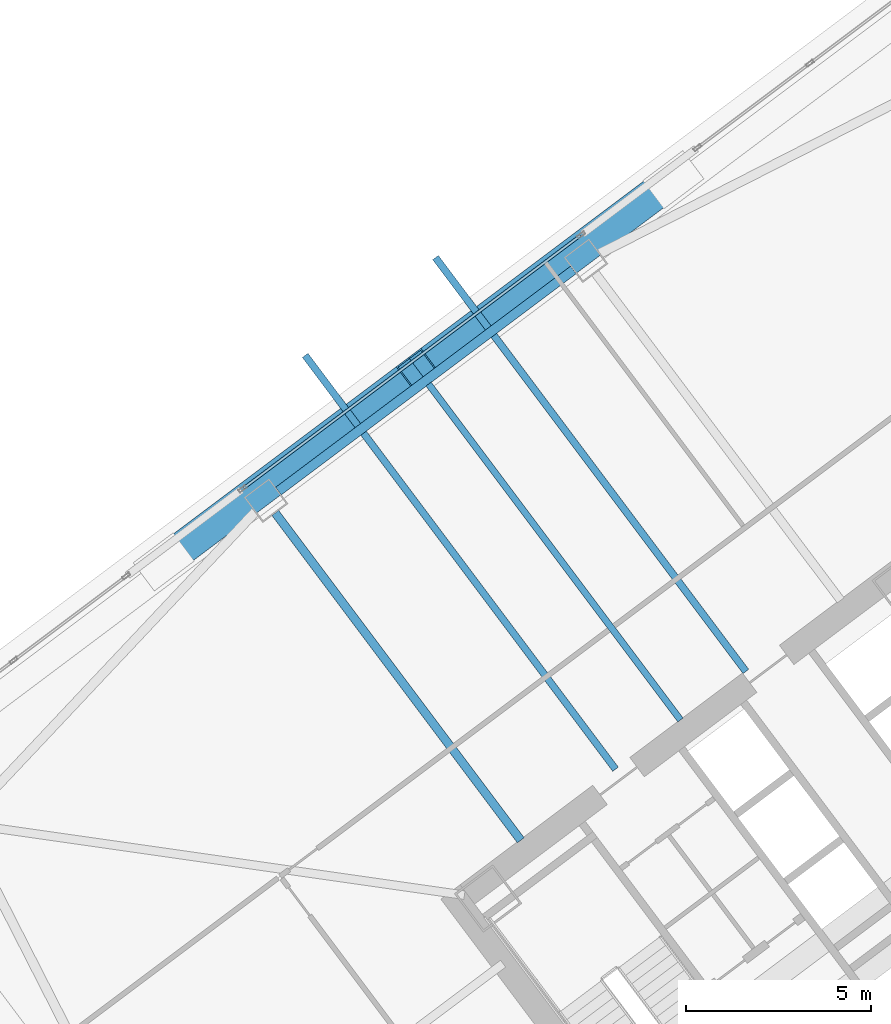
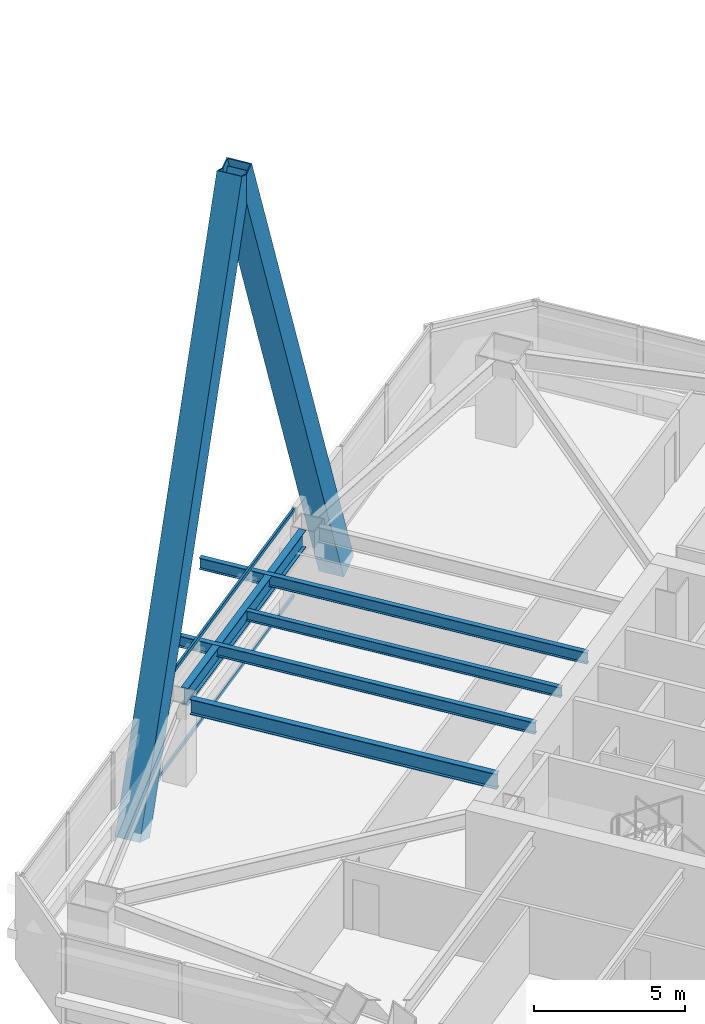
# One storey, part 34 of 54: 5 beams, 4 members, 1 element without a shape of its own.
"""IFC4 building model written with IfcOpenShell, lengths in metres."""

from ifc_helpers import new_model, si_unit, direction, frame, origin, origin_2d, place, context, subcontext, project, spatial, hollow_rectangle, i_section, extrude, material, material_profile, profile_set, type_object, element, aggregate, save


model = new_model("IFC4")

# Units and contexts
model_context = context("Model", 3, precision=1e-05, world=origin(), true_north=direction((0.0, 1.0)))
body_context = subcontext(model_context, "Body", "Model", "MODEL_VIEW")
ifc_project = project(units=[si_unit("LENGTHUNIT", "METRE"), si_unit("AREAUNIT", "SQUARE_METRE"), si_unit("VOLUMEUNIT", "CUBIC_METRE"), si_unit("PLANEANGLEUNIT", "RADIAN"), si_unit("MASSUNIT", "GRAM", prefix="KILO")], contexts=[model_context])

# Site, building, storey
site_placement = place(None, origin())
site = spatial("IfcSite", under=ifc_project, at=site_placement, CompositionType="ELEMENT")
building_placement = place(site_placement, origin())
building = spatial("IfcBuilding", under=site, at=building_placement, Name="Tashvorn Skyway Center", CompositionType="ELEMENT")
storey_placement = place(building_placement, frame((0.0, 0.0, 88.5)))
storey = spatial("IfcBuildingStorey", under=building, at=storey_placement, Name="L23", CompositionType="ELEMENT", Elevation=88.5)

# Beams
ifc_material_1 = material(Name="Steel ASTM A992 Grade 50", Category="steel")
ifc_material_profile_1 = material_profile(ifc_material_1, i_section(OverallWidth=0.22998046875, OverallDepth=0.616943359375, WebThickness=0.01318359375, FlangeThickness=0.022216796875, at=origin_2d()), Name="W24X94")
ifc_profile_set_1 = profile_set([ifc_material_profile_1], Name="Steel ASTM A992 Grade 50")
beam_type_1 = type_object("IfcBeamType", Name="BM-BEAM-W24X94", PredefinedType="BEAM", material=ifc_profile_set_1)
beam_1_placement = place(storey_placement, frame((98.382080078125, 43.823974609375, 3.04150390625), z_axis=(0.599989394744, -0.800007953832, 0.0), x_axis=(0.800007953832, 0.599989394744, 0.0)))
element("IfcBeam", 1, at=beam_1_placement, inside=storey, type_object=beam_type_1, Name="Tower 2 L23 Primary Floor Girder FC-N2", PredefinedType="BEAM", context=body_context, shape_type="SweptSolid", body=[
    extrude(i_section(OverallWidth=0.22998046875, OverallDepth=0.616943359375, WebThickness=0.01318359375, FlangeThickness=0.022216796875, at=origin_2d()), origin(), (0.0, 0.0, 1.0), 11.050048828125),
])
ifc_material_profile_2 = material_profile(ifc_material_1, i_section(OverallWidth=0.177978515625, OverallDepth=0.406005859375, WebThickness=0.0078125, FlangeThickness=0.0126953125, at=origin_2d()), Name="W16X40")
ifc_profile_set_2 = profile_set([ifc_material_profile_2], Name="Steel ASTM A992 Grade 50")
beam_type_2 = type_object("IfcBeamType", Name="BM-JOIST-W16X40", PredefinedType="JOIST", material=ifc_profile_set_2)
beam_2_placement = place(storey_placement, frame((109.325927734375, 38.23193359375, 3.14697265625), z_axis=(-0.599996555327, 0.800002583493, 0.0), x_axis=(-0.800002583493, -0.599996555327, 0.0)))
element("IfcBeam", 2, at=beam_2_placement, inside=storey, type_object=beam_type_2, Name="Tower 2 L23 Secondary Composite Joist JN", PredefinedType="JOIST", context=body_context, shape_type="SweptSolid", body=[
    extrude(i_section(OverallWidth=0.177978515625, OverallDepth=0.406005859375, WebThickness=0.0078125, FlangeThickness=0.0126953125, at=origin_2d()), origin(), (0.0, 0.0, 1.0), 11.340087890625),
])
ifc_material_profile_3 = material_profile(ifc_material_1, i_section(OverallWidth=0.19091796875, OverallDepth=0.4599609375, WebThickness=0.010009765625, FlangeThickness=0.01611328125, at=origin_2d()), Name="W18X55")
ifc_profile_set_3 = profile_set([ifc_material_profile_3], Name="Steel ASTM A992 Grade 50")
beam_type_3 = type_object("IfcBeamType", Name="BM-JOIST-W18X55", PredefinedType="JOIST", material=ifc_profile_set_3)
for number, where, z_axis, x_axis, name in (
    (3, (107.572021484375, 36.904052734375, 3.1201171875), (-0.600002796153, 0.799997902878, 0.0), (-0.799997902878, -0.600002796153, 0.0), "Tower 2 L24 Terrace Cantilever Outlooker 1"),
    (4, (111.092041015625, 39.5439453125, 3.1201171875), (-0.600002796153, 0.799997902878, 0.0), (-0.799997902878, -0.600002796153, 0.0), "Tower 2 L24 Terrace Cantilever Outlooker 2"),
):
    element("IfcBeam", number, at=place(storey_placement, frame(where, z_axis=z_axis, x_axis=x_axis)), inside=storey, type_object=beam_type_3, Name=name, PredefinedType="JOIST", context=body_context, shape_type="SweptSolid", body=[
        extrude(i_section(OverallWidth=0.19091796875, OverallDepth=0.4599609375, WebThickness=0.010009765625, FlangeThickness=0.01611328125, at=origin_2d()), origin(), (0.0, 0.0, 1.0), 13.969970703125),
    ])
ifc_material_profile_4 = material_profile(ifc_material_1, i_section(OverallWidth=0.256103515625, OverallDepth=0.693115234375, WebThickness=0.014404296875, FlangeThickness=0.023681640625, at=origin_2d()), Name="W27X114")
ifc_profile_set_4 = profile_set([ifc_material_profile_4], Name="Steel ASTM A992 Grade 50")
beam_type_4 = type_object("IfcBeamType", Name="BM-SPANDREL-W27X114", PredefinedType="SPANDREL", material=ifc_profile_set_4)
beam_3_placement = place(storey_placement, frame((106.43408203125, 50.387939453125, 3.00341796875), z_axis=(-0.800008824351, -0.599988234018, 0.0), x_axis=(0.599988234018, -0.800008824351, 0.0)))
element("IfcBeam", 5, at=beam_3_placement, inside=storey, type_object=beam_type_4, Name="Tower 2 L23 Spandrel Beam 08", PredefinedType="SPANDREL", context=body_context, shape_type="SweptSolid", body=[
    extrude(i_section(OverallWidth=0.256103515625, OverallDepth=0.693115234375, WebThickness=0.014404296875, FlangeThickness=0.023681640625, at=origin_2d()), origin(), (0.0, 0.0, 1.0), 9.9599609375),
])

# Curtain wall, members
ifc_material_2 = material(Name="Thermally broken bronze-anodized aluminium 6063-T6", Category="aluminium")
curtain_wall_type = type_object("IfcCurtainWallType", Name="CW-CW-Z2", PredefinedType="NOTDEFINED", material=ifc_material_2)
curtain_wall_placement = place(storey_placement, origin())
curtain_wall = element("IfcCurtainWall", 6, at=curtain_wall_placement, inside=storey, type_object=curtain_wall_type, Name="Tower 2 L23 North Unitised Curtain Wall Glazing Group 2", PredefinedType="NOTDEFINED")
ifc_material_profile_5 = material_profile(ifc_material_2, hollow_rectangle(XDim=0.080078125, YDim=0.14990234375, WallThickness=0.00439453125, at=origin_2d()), Name="ALU-TRAN-80x150")
ifc_profile_set_5 = profile_set([ifc_material_profile_5], Name="Thermally broken bronze-anodized aluminium 6063-T6")
member_type_1 = type_object("IfcMemberType", Name="CWT-CW-Z2", PredefinedType="USERDEFINED", material=ifc_profile_set_5)
member_1_placement = place(storey_placement, frame((97.528076171875, 44.49609375, 0.0400390625), z_axis=(0.8, 0.6, 0.0), x_axis=(-0.6, 0.8, 0.0)))
member_1 = element("IfcMember", 7, at=member_1_placement, type_object=member_type_1, Name="CW-Z2 transom 1.1", ObjectType="TRANSOM", PredefinedType="USERDEFINED", context=body_context, shape_type="SweptSolid", body=[
    extrude(hollow_rectangle(XDim=0.080078125, YDim=0.14990234375, WallThickness=0.00439453125, at=origin_2d()), origin(), (0.0, 0.0, 1.0), 11.35986328125),
])
member_2_placement = place(storey_placement, frame((97.528076171875, 44.49609375, 3.510009765625), z_axis=(0.8, 0.6, 0.0), x_axis=(-0.6, 0.8, 0.0)))
member_2 = element("IfcMember", 8, at=member_2_placement, type_object=member_type_1, Name="CW-Z2 transom 1.2", ObjectType="TRANSOM", PredefinedType="USERDEFINED", context=body_context, shape_type="SweptSolid", body=[
    extrude(hollow_rectangle(XDim=0.080078125, YDim=0.14990234375, WallThickness=0.00439453125, at=origin_2d()), origin(), (0.0, 0.0, 1.0), 11.35986328125),
])
aggregate(curtain_wall, [member_1, member_2])

# Members
ifc_material_3 = material(Name="Steel ASTM A572 Grade 50", Category="steel")
ifc_material_profile_6 = material_profile(ifc_material_3, hollow_rectangle(XDim=0.89990234375, YDim=0.89990234375, WallThickness=0.0400390625, at=origin_2d()), Name="BOX900x900x40")
ifc_profile_set_6 = profile_set([ifc_material_profile_6], Name="Steel ASTM A572 Grade 50")
member_type_2 = type_object("IfcMemberType", Name="MEM-MB-900", PredefinedType="BRACE", material=ifc_profile_set_6)
for number, where, z_axis, x_axis, name in (
    (9, (109.132080078125, 52.823974609375, -0.449951171875), (-0.29831470061, -0.223728086207, 0.927876113952), (0.599986373537, -0.800010219666, 0.0), "Tower 2 Zone 2 N Chevron Mega-Brace L2"),
    (10, (95.3720703125, 42.50390625, -0.449951171875), (0.298304350435, 0.223738848502, 0.927876846452), (-0.60001816845, 0.79998637334, 0.0), "Tower 2 Zone 2 N Chevron Mega-Brace R2"),
):
    element("IfcMember", number, at=place(storey_placement, frame(where, z_axis=z_axis, x_axis=x_axis)), inside=storey, type_object=member_type_2, Name=name, PredefinedType="BRACE", context=body_context, shape_type="SweptSolid", body=[
        extrude(hollow_rectangle(XDim=0.89990234375, YDim=0.89990234375, WallThickness=0.0400390625, at=origin_2d()), origin(), (0.0, 0.0, 1.0), 23.063232421875),
    ])

save(model, "model.ifc")
